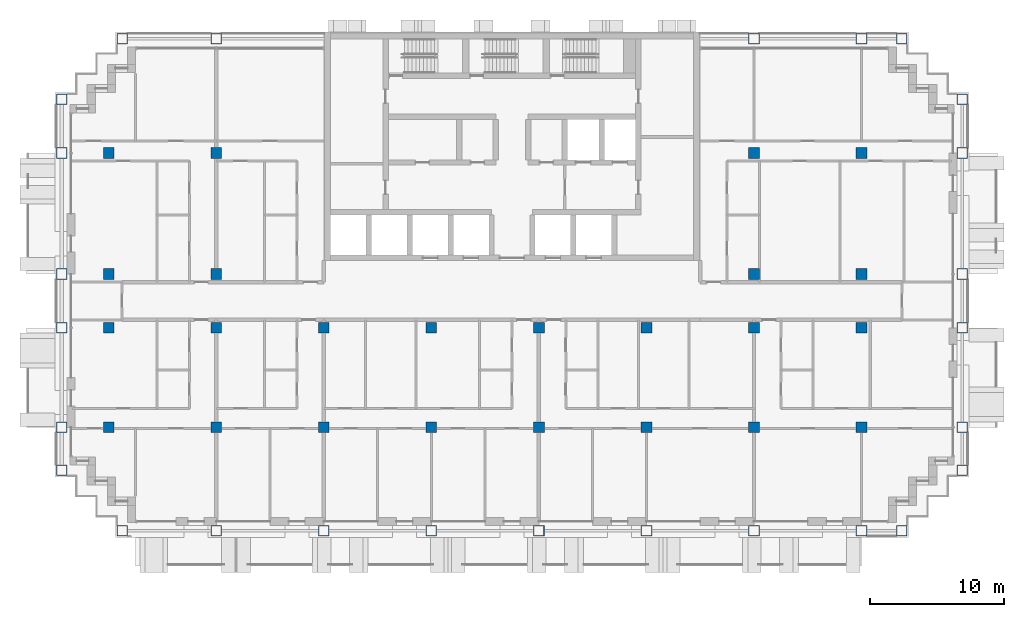
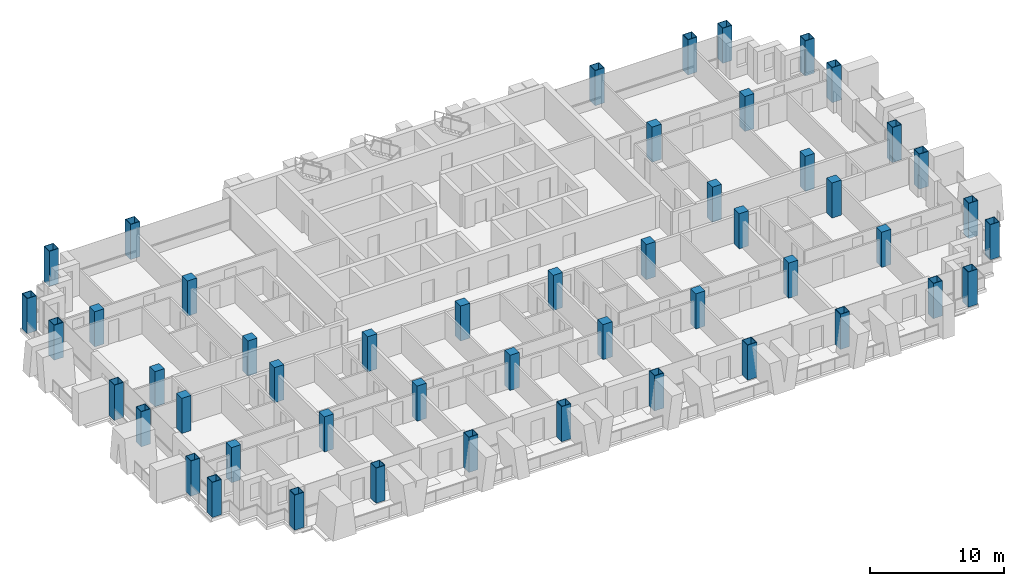
# One storey, part 1 of 18: 50 columns.
"""IFC4 building model written with IfcOpenShell, lengths in metres."""

from ifc_helpers import new_model, si_unit, direction, frame, origin, origin_2d, place, context, subcontext, project, spatial, rectangle, hollow_rectangle, extrude, material, material_profile, profile_set, type_object, element, save


model = new_model("IFC4")

# Units and contexts
model_context = context("Model", 3, precision=1e-05, world=origin(), true_north=direction((0.0, 1.0)))
body_context = subcontext(model_context, "Body", "Model", "MODEL_VIEW")
ifc_project = project(units=[si_unit("LENGTHUNIT", "METRE"), si_unit("AREAUNIT", "SQUARE_METRE"), si_unit("VOLUMEUNIT", "CUBIC_METRE"), si_unit("PLANEANGLEUNIT", "RADIAN"), si_unit("MASSUNIT", "GRAM", prefix="KILO")], contexts=[model_context])

# Site, building, storey
site_placement = place(None, origin())
site = spatial("IfcSite", under=ifc_project, at=site_placement, CompositionType="ELEMENT")
building_placement = place(site_placement, origin())
building = spatial("IfcBuilding", under=site, at=building_placement, Name="Vidyagriha Tower", CompositionType="ELEMENT")
storey_placement = place(building_placement, frame((0.0, 0.0, 123.0)))
storey = spatial("IfcBuildingStorey", under=building, at=storey_placement, Name="L31", CompositionType="ELEMENT", Elevation=123.0)

# Columns
ifc_material_1 = material(Name="Steel ASTM A572 Grade 50", Category="steel")
ifc_material_profile_1 = material_profile(ifc_material_1, hollow_rectangle(XDim=0.800048828125, YDim=0.800048828125, WallThickness=0.0400390625, at=origin_2d()), Name="BOX 800x800x40")
ifc_profile_set_1 = profile_set([ifc_material_profile_1], Name="Steel ASTM A572 Grade 50")
column_type_1 = type_object("IfcColumnType", Name="Exoskeleton column BOX 800x800x40", PredefinedType="COLUMN", material=ifc_profile_set_1)
for number, where, name in (
    (1, (-29.0, -17.10009765625, 0.0), "st-col-L31-B3-001"),
    (2, (-22.0, -17.10009765625, 0.0), "st-col-L31-B3-002"),
    (3, (-14.0, -17.10009765625, 0.0), "st-col-L31-B3-003"),
    (4, (-6.0, -17.10009765625, 0.0), "st-col-L31-B3-004"),
    (5, (2.0, -17.10009765625, 0.0), "st-col-L31-B3-005"),
    (6, (10.0, -17.10009765625, 0.0), "st-col-L31-B3-006"),
    (7, (18.0, -17.10009765625, 0.0), "st-col-L31-B3-007"),
    (8, (26.0, -17.10009765625, 0.0), "st-col-L31-B3-008"),
    (9, (29.0, -17.10009765625, 0.0), "st-col-L31-B3-009"),
    (10, (-33.5, -12.60009765625, 0.0), "st-col-L31-B3-010"),
    (11, (33.5, -12.60009765625, 0.0), "st-col-L31-B3-011"),
    (12, (-33.5, -9.39990234375, 0.0), "st-col-L31-B3-012"),
    (13, (33.5, -9.39990234375, 0.0), "st-col-L31-B3-021"),
    (14, (-33.5, -2.0, 0.0), "st-col-L31-B3-022"),
    (15, (33.5, -2.0, 0.0), "st-col-L31-B3-031"),
    (16, (-33.5, 2.0, 0.0), "st-col-L31-B3-032"),
    (17, (33.5, 2.0, 0.0), "st-col-L31-B3-037"),
    (18, (-33.5, 11.0, 0.0), "st-col-L31-B3-038"),
    (19, (33.5, 11.0, 0.0), "st-col-L31-B3-043"),
    (20, (-33.5, 15.0, 0.0), "st-col-L31-B3-044"),
    (21, (33.5, 15.0, 0.0), "st-col-L31-B3-045"),
    (22, (-29.0, 19.5, 0.0), "st-col-L31-B3-046"),
    (23, (-22.0, 19.5, 0.0), "st-col-L31-B3-047"),
    (24, (18.0, 19.5, 0.0), "st-col-L31-B3-048"),
    (25, (26.0, 19.5, 0.0), "st-col-L31-B3-049"),
    (26, (29.0, 19.5, 0.0), "st-col-L31-B3-050"),
):
    element("IfcColumn", number, at=place(storey_placement, frame(where)), inside=storey, type_object=column_type_1, Name=name, PredefinedType="COLUMN", context=body_context, shape_type="SweptSolid", body=[
        extrude(hollow_rectangle(XDim=0.800048828125, YDim=0.800048828125, WallThickness=0.0400390625, at=origin_2d()), origin(), (0.0, 0.0, 1.0), 3.199951171875),
    ])
ifc_material_2 = material(Name="Concrete C80/95", Category="concrete")
ifc_material_profile_2 = material_profile(ifc_material_2, rectangle(XDim=0.800048828125, YDim=0.800048828125, at=origin_2d()), Name="RC 800x800")
ifc_profile_set_2 = profile_set([ifc_material_profile_2], Name="Concrete C80/95")
column_type_2 = type_object("IfcColumnType", Name="Frame column RC 800x800", PredefinedType="COLUMN", material=ifc_profile_set_2)
for number, where, name in (
    (27, (-30.0, -9.39990234375, 0.0), "st-col-L31-B3-013"),
    (28, (-22.0, -9.39990234375, 0.0), "st-col-L31-B3-014"),
    (29, (-14.0, -9.39990234375, 0.0), "st-col-L31-B3-015"),
    (30, (-6.0, -9.39990234375, 0.0), "st-col-L31-B3-016"),
    (31, (2.0, -9.39990234375, 0.0), "st-col-L31-B3-017"),
    (32, (10.0, -9.39990234375, 0.0), "st-col-L31-B3-018"),
    (33, (18.0, -9.39990234375, 0.0), "st-col-L31-B3-019"),
    (34, (26.0, -9.39990234375, 0.0), "st-col-L31-B3-020"),
    (35, (-30.0, -2.0, 0.0), "st-col-L31-B3-023"),
    (36, (-22.0, -2.0, 0.0), "st-col-L31-B3-024"),
    (37, (-14.0, -2.0, 0.0), "st-col-L31-B3-025"),
    (38, (-6.0, -2.0, 0.0), "st-col-L31-B3-026"),
    (39, (2.0, -2.0, 0.0), "st-col-L31-B3-027"),
    (40, (10.0, -2.0, 0.0), "st-col-L31-B3-028"),
    (41, (18.0, -2.0, 0.0), "st-col-L31-B3-029"),
    (42, (26.0, -2.0, 0.0), "st-col-L31-B3-030"),
    (43, (-30.0, 2.0, 0.0), "st-col-L31-B3-033"),
    (44, (-22.0, 2.0, 0.0), "st-col-L31-B3-034"),
    (45, (18.0, 2.0, 0.0), "st-col-L31-B3-035"),
    (46, (26.0, 2.0, 0.0), "st-col-L31-B3-036"),
    (47, (-30.0, 11.0, 0.0), "st-col-L31-B3-039"),
    (48, (-22.0, 11.0, 0.0), "st-col-L31-B3-040"),
    (49, (18.0, 11.0, 0.0), "st-col-L31-B3-041"),
    (50, (26.0, 11.0, 0.0), "st-col-L31-B3-042"),
):
    element("IfcColumn", number, at=place(storey_placement, frame(where)), inside=storey, type_object=column_type_2, Name=name, PredefinedType="COLUMN", context=body_context, shape_type="SweptSolid", body=[
        extrude(rectangle(XDim=0.800048828125, YDim=0.800048828125, at=origin_2d()), origin(), (0.0, 0.0, 1.0), 3.199951171875),
    ])

save(model, "model.ifc")
